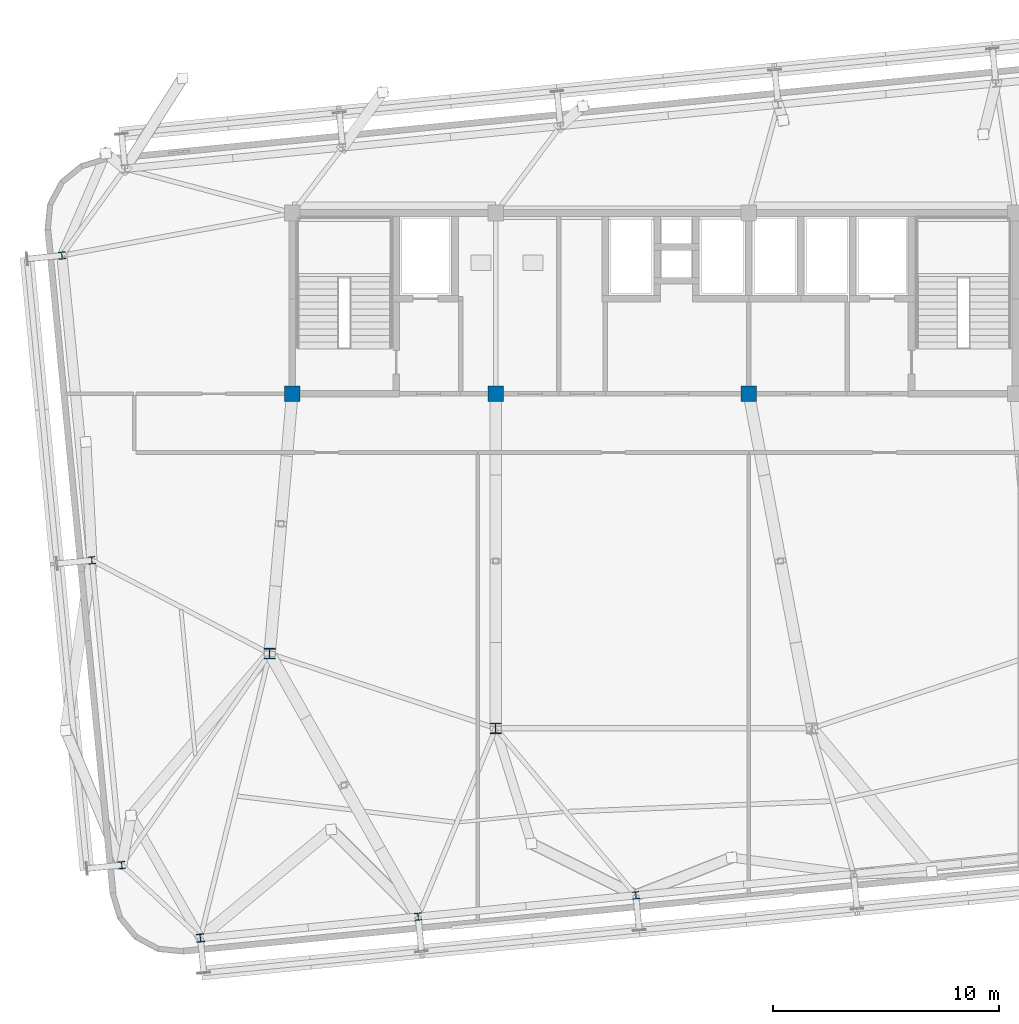
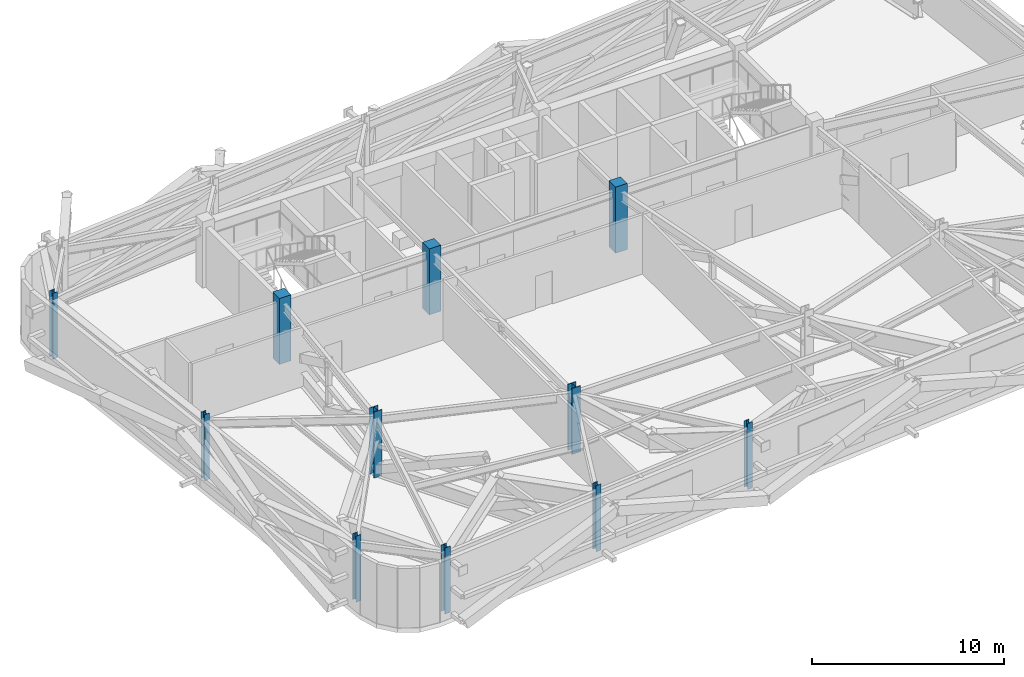
# One storey, part 1 of 24: 11 columns.
"""IFC4 building model written with IfcOpenShell, lengths in metres."""

from ifc_helpers import new_model, si_unit, direction, frame, origin, origin_2d, place, context, subcontext, project, spatial, rectangle, i_section, extrude, source, transform, mapped, material, material_profile, profile_set, type_object, element, save


model = new_model("IFC4")

# Units and contexts
model_context = context("Model", 3, precision=1e-05, world=origin(), true_north=direction((0.0, 1.0)))
body_context = subcontext(model_context, "Body", "Model", "MODEL_VIEW")
ifc_project = project(units=[si_unit("LENGTHUNIT", "METRE"), si_unit("AREAUNIT", "SQUARE_METRE"), si_unit("VOLUMEUNIT", "CUBIC_METRE"), si_unit("PLANEANGLEUNIT", "RADIAN"), si_unit("MASSUNIT", "GRAM", prefix="KILO")], contexts=[model_context])

# Site, building, storey
site_placement = place(None, origin())
site = spatial("IfcSite", under=ifc_project, at=site_placement, CompositionType="ELEMENT")
building_placement = place(site_placement, origin())
building = spatial("IfcBuilding", under=site, at=building_placement, Name="Taldren Reach Tower", CompositionType="ELEMENT")
storey_placement = place(building_placement, frame((0.0, 0.0, 112.35009765625)))
storey = spatial("IfcBuildingStorey", under=building, at=storey_placement, Name="L34", CompositionType="ELEMENT", Elevation=112.35009765625)

# Columns
ifc_material_1 = material(Name="Concrete S65 (65 MPa)", Category="concrete")
ifc_material_profile_1 = material_profile(ifc_material_1, rectangle(XDim=0.699951171875, YDim=0.699951171875, at=origin_2d()), Name="RC-700x700")
ifc_profile_set_1 = profile_set([ifc_material_profile_1], Name="Concrete S65 (65 MPa)")
column_type_1 = type_object("IfcColumnType", Name="COL-RC700", PredefinedType="COLUMN", material=ifc_profile_set_1)
shared_shape_1 = source(origin(), body_context, "Body", "SweptSolid", [
    extrude(rectangle(XDim=0.699951171875, YDim=0.699951171875, at=origin_2d()), origin(), (0.0, 0.0, 1.0), 4.199951171875),
])
for number, where, z_axis, x_axis, name in (
    (1, (19.0, 24.0, 0.0), (0.0, 0.0, 1.0), (1.0, 0.0, 0.0), "Mega column MC-C1 L34"),
    (2, (28.0, 24.0, 0.0), (0.0, 0.0, 1.0), (1.0, 0.0, 0.0), "Mega column MC-C2 L34"),
    (3, (39.199951171875, 24.0, 0.0), (0.0, 0.0, 1.0), (1.0, 0.0, 0.0), "Mega column MC-C3 L34"),
):
    element("IfcColumn", number, at=place(storey_placement, frame(where, z_axis=z_axis, x_axis=x_axis)), inside=storey, type_object=column_type_1, Name=name, PredefinedType="COLUMN", context=body_context, shape_type="MappedRepresentation", body=[
        mapped(shared_shape_1, transform((0.0, 0.0, 0.0), scale=1.0)),
    ])
ifc_material_2 = material(Name="Steel Gr 350 (350PLUS)", Category="steel")
ifc_material_profile_2 = material_profile(ifc_material_2, i_section(OverallWidth=0.5, OverallDepth=0.464111328125, WebThickness=0.02197265625, FlangeThickness=0.033935546875, at=origin_2d()), Name="500WC340")
ifc_profile_set_2 = profile_set([ifc_material_profile_2], Name="Steel Gr 350 (350PLUS)")
column_type_2 = type_object("IfcColumnType", Name="COL-WC500B", PredefinedType="COLUMN", material=ifc_profile_set_2)
shared_shape_2 = source(origin(), body_context, "Body", "SweptSolid", [
    extrude(i_section(OverallWidth=0.5, OverallDepth=0.464111328125, WebThickness=0.02197265625, FlangeThickness=0.033935546875, at=origin_2d()), origin(), (0.0, 0.0, 1.0), 4.199951171875),
])
for number, where, z_axis, x_axis, name in (
    (4, (28.0, 9.199951171875, 0.0), (0.0, 0.0, 1.0), (1.0, 0.0, 0.0), "Mega column MC-PJW L34"),
    (5, (18.0, 12.5, 0.0), (0.0, 0.0, 1.0), (1.0, 0.0, 0.0), "Mega column MC-SW L34"),
):
    element("IfcColumn", number, at=place(storey_placement, frame(where, z_axis=z_axis, x_axis=x_axis)), inside=storey, type_object=column_type_2, Name=name, PredefinedType="COLUMN", context=body_context, shape_type="MappedRepresentation", body=[
        mapped(shared_shape_2, transform((0.0, 0.0, 0.0), scale=1.0)),
    ])
ifc_material_profile_3 = material_profile(ifc_material_2, i_section(OverallWidth=0.35009765625, OverallDepth=0.35595703125, WebThickness=0.01806640625, FlangeThickness=0.028076171875, at=origin_2d()), Name="350WC197")
ifc_profile_set_3 = profile_set([ifc_material_profile_3], Name="Steel Gr 350 (350PLUS)")
column_type_3 = type_object("IfcColumnType", Name="COL-WC350", PredefinedType="COLUMN", material=ifc_profile_set_3)
shared_shape_3 = source(origin(), body_context, "Body", "SweptSolid", [
    extrude(i_section(OverallWidth=0.35009765625, OverallDepth=0.35595703125, WebThickness=0.01806640625, FlangeThickness=0.028076171875, at=origin_2d()), origin(), (0.0, 0.0, 1.0), 4.199951171875),
])
column_placement = place(storey_placement, frame((14.93408203125, -0.079833984375, 0.0), z_axis=(0.0, 0.0, 1.0), x_axis=(0.995227399982, 0.097582899759, 0.0)))
element("IfcColumn", 6, at=column_placement, inside=storey, type_object=column_type_3, Name="Block B2 perimeter column S1 L34", PredefinedType="COLUMN", context=body_context, shape_type="MappedRepresentation", body=[
    mapped(shared_shape_3, transform((0.0, 0.0, 0.0), scale=1.0)),
])
ifc_material_profile_4 = material_profile(ifc_material_2, i_section(OverallWidth=0.306884765625, OverallDepth=0.31494140625, WebThickness=0.011962890625, FlangeThickness=0.018798828125, at=origin_2d()), Name="310UC118")
ifc_profile_set_4 = profile_set([ifc_material_profile_4], Name="Steel Gr 350 (350PLUS)")
column_type_4 = type_object("IfcColumnType", Name="COL-UC310B", PredefinedType="COLUMN", material=ifc_profile_set_4)
shared_shape_4 = source(origin(), body_context, "Body", "SweptSolid", [
    extrude(i_section(OverallWidth=0.306884765625, OverallDepth=0.31494140625, WebThickness=0.011962890625, FlangeThickness=0.018798828125, at=origin_2d()), origin(), (0.0, 0.0, 1.0), 4.199951171875),
])
for number, where, z_axis, x_axis, name in (
    (7, (24.56787109375, 0.86474609375, 0.0), (0.0, 0.0, 1.0), (0.995227399982, 0.097582899759, 0.0), "Block B2 perimeter column S2 L34"),
    (8, (34.20166015625, 1.809326171875, 0.0), (0.0, 0.0, 1.0), (0.995227399982, 0.097582899759, 0.0), "Block B2 perimeter column S3 L34"),
    (9, (11.452880859375, 3.145751953125, 0.0), (0.0, 0.0, 1.0), (0.995227399982, 0.097582899759, 0.0), "Block B2 perimeter column W1 L34"),
    (10, (10.130615234375, 16.631103515625, 0.0), (0.0, 0.0, 1.0), (0.995227399982, 0.097582899759, 0.0), "Block B2 perimeter column W2 L34"),
    (11, (8.808349609375, 30.116455078125, 0.0), (0.0, 0.0, 1.0), (0.995227399982, 0.097582899759, 0.0), "Block B2 perimeter column W3 L34"),
):
    element("IfcColumn", number, at=place(storey_placement, frame(where, z_axis=z_axis, x_axis=x_axis)), inside=storey, type_object=column_type_4, Name=name, PredefinedType="COLUMN", context=body_context, shape_type="MappedRepresentation", body=[
        mapped(shared_shape_4, transform((0.0, 0.0, 0.0), scale=1.0)),
    ])

save(model, "model.ifc")
